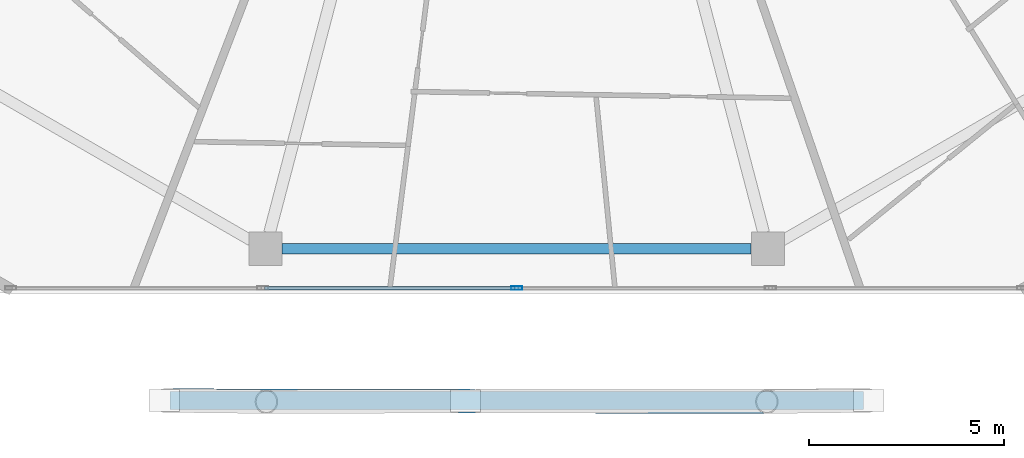
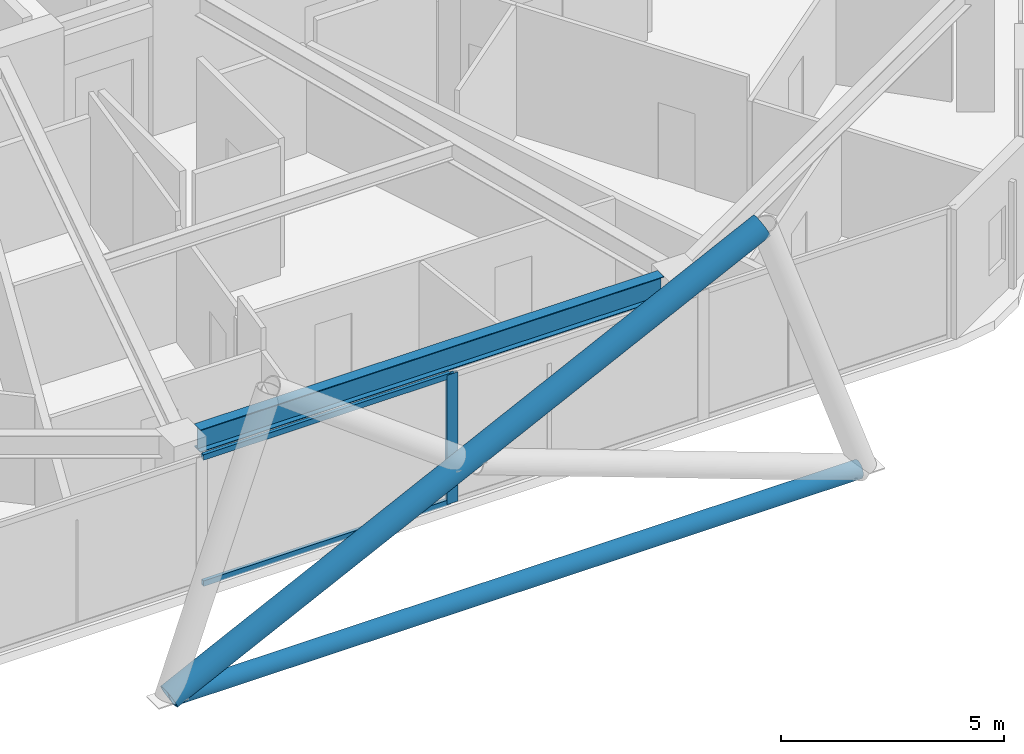
# One storey, part 4 of 29: 5 members, 1 beam, 1 element without a shape of its own.
"""IFC4 building model written with IfcOpenShell, lengths in metres."""

from ifc_helpers import new_model, si_unit, direction, frame, origin, origin_2d, place, context, subcontext, project, spatial, hollow_rectangle, hollow_circle, i_section, extrude, material, material_profile, profile_set, type_object, element, aggregate, save


model = new_model("IFC4")

# Units and contexts
model_context = context("Model", 3, precision=1e-05, world=origin(), true_north=direction((0.0, 1.0)))
body_context = subcontext(model_context, "Body", "Model", "MODEL_VIEW")
ifc_project = project(units=[si_unit("LENGTHUNIT", "METRE"), si_unit("AREAUNIT", "SQUARE_METRE"), si_unit("VOLUMEUNIT", "CUBIC_METRE"), si_unit("PLANEANGLEUNIT", "RADIAN"), si_unit("MASSUNIT", "GRAM", prefix="KILO")], contexts=[model_context])

# Site, building, storey
site_placement = place(None, origin())
site = spatial("IfcSite", under=ifc_project, at=site_placement, CompositionType="ELEMENT")
building_placement = place(site_placement, origin())
building = spatial("IfcBuilding", under=site, at=building_placement, Name="Zuhravey Tower", CompositionType="ELEMENT")
storey_placement = place(building_placement, frame((0.0, 0.0, 292.0)))
storey = spatial("IfcBuildingStorey", under=building, at=storey_placement, Name="L74", CompositionType="ELEMENT", Elevation=292.0)

# Curtain wall, members
ifc_material_1 = material(Name="Thermally broken anodised aluminium", Category="aluminium")
curtain_wall_type = type_object("IfcCurtainWallType", Name="Zone 3-4 High-Rise Curtain Wall CW4", PredefinedType="NOTDEFINED", material=ifc_material_1)
curtain_wall_placement = place(storey_placement, origin())
curtain_wall = element("IfcCurtainWall", 1, at=curtain_wall_placement, inside=storey, type_object=curtain_wall_type, Name="L74 CW4 CW-L74-F5-1", PredefinedType="NOTDEFINED")
ifc_material_2 = material(Name="Anodised aluminium", Category="aluminium")
ifc_material_profile_1 = material_profile(ifc_material_2, hollow_rectangle(XDim=0.090087890625, YDim=0.284912109375, WallThickness=0.0048828125, at=origin_2d()), Name="ALU-RHS-90x285x5")
ifc_profile_set_1 = profile_set([ifc_material_profile_1], Name="Anodised aluminium")
member_type_1 = type_object("IfcMemberType", Name="Curtain-Wall Mullion 90x180", PredefinedType="MULLION", material=ifc_profile_set_1)
member_1_placement = place(storey_placement, frame((36.0, 6.436279296875, 0.0), z_axis=(0.0, 0.0, 1.0), x_axis=(0.0, -1.0, 0.0)))
member_1 = element("IfcMember", 2, at=member_1_placement, type_object=member_type_1, Name="CW4 mullion 3", PredefinedType="MULLION", context=body_context, shape_type="SweptSolid", body=[
    extrude(hollow_rectangle(XDim=0.090087890625, YDim=0.284912109375, WallThickness=0.0048828125, at=origin_2d()), origin(), (0.0, 0.0, 1.0), 3.550048828125),
])
ifc_material_profile_2 = material_profile(ifc_material_2, hollow_rectangle(XDim=0.090087890625, YDim=0.14990234375, WallThickness=0.0048828125, at=origin_2d()), Name="ALU-RHS-90x150x5")
ifc_profile_set_2 = profile_set([ifc_material_profile_2], Name="Anodised aluminium")
member_type_2 = type_object("IfcMemberType", Name="Curtain-Wall Transom 90x150", PredefinedType="USERDEFINED", material=ifc_profile_set_2)
member_2_placement = place(storey_placement, frame((35.955078125, 6.436279296875, 0.044921875), z_axis=(-1.0, 0.0, 0.0), x_axis=(0.0, -1.0, 0.0)))
member_2 = element("IfcMember", 3, at=member_2_placement, type_object=member_type_2, Name="CW4 transom 3.1", ObjectType="TRANSOM", PredefinedType="USERDEFINED", context=body_context, shape_type="SweptSolid", body=[
    extrude(hollow_rectangle(XDim=0.090087890625, YDim=0.14990234375, WallThickness=0.0048828125, at=origin_2d()), origin(), (0.0, 0.0, 1.0), 6.41650390625),
])
member_3_placement = place(storey_placement, frame((35.955078125, 6.436279296875, 3.5048828125), z_axis=(-1.0, 0.0, 0.0), x_axis=(0.0, -1.0, 0.0)))
member_3 = element("IfcMember", 4, at=member_3_placement, type_object=member_type_2, Name="CW4 transom 3.2", ObjectType="TRANSOM", PredefinedType="USERDEFINED", context=body_context, shape_type="SweptSolid", body=[
    extrude(hollow_rectangle(XDim=0.090087890625, YDim=0.14990234375, WallThickness=0.0048828125, at=origin_2d()), origin(), (0.0, 0.0, 1.0), 6.41650390625),
])
aggregate(curtain_wall, [member_1, member_2, member_3])

# Members
ifc_material_3 = material(Name="Steel SM355", Category="steel")
ifc_material_profile_3 = material_profile(ifc_material_3, hollow_circle(Radius=0.228515625, WallThickness=0.02197265625, at=origin_2d()), Name="CHS-457.2x22")
ifc_profile_set_3 = profile_set([ifc_material_profile_3], Name="Steel SM355")
member_type_3 = type_object("IfcMemberType", Name="Exoskeleton Ring Tie CHS457x22", PredefinedType="CHORD", material=ifc_profile_set_3)
member_4_placement = place(storey_placement, frame((27.111083984375, 3.556396484375, -0.464111328125), z_axis=(1.0, 0.0, 0.0), x_axis=(0.0, 1.0, 0.0)))
element("IfcMember", 5, at=member_4_placement, inside=storey, type_object=member_type_3, Name="L74 Exoskeleton Face 5 Tie EXR1", PredefinedType="CHORD", context=body_context, shape_type="SweptSolid", body=[
    extrude(hollow_circle(Radius=0.228515625, WallThickness=0.02197265625, at=origin_2d()), origin(), (0.0, 0.0, 1.0), 17.77783203125),
])
ifc_material_profile_4 = material_profile(ifc_material_3, hollow_circle(Radius=0.3046875, WallThickness=0.028076171875, at=origin_2d()), Name="CHS-609.6x28")
ifc_profile_set_4 = profile_set([ifc_material_profile_4], Name="Steel SM355")
member_type_4 = type_object("IfcMemberType", Name="Exoskeleton Zone 3 Diagrid CHS610x28", PredefinedType="BRACE", material=ifc_profile_set_4)
member_5_placement = place(storey_placement, frame((27.007568359375, 3.556396484375, -0.446044921875), z_axis=(0.897160431159, -0.001753575188, 0.44170135356), x_axis=(0.001954580004, 0.999998089807, 0.0)))
element("IfcMember", 6, at=member_5_placement, inside=storey, type_object=member_type_4, Name="L74 Face 5 Diagrid Brace 2", PredefinedType="BRACE", context=body_context, shape_type="SweptSolid", body=[
    extrude(hollow_circle(Radius=0.3046875, WallThickness=0.028076171875, at=origin_2d()), origin(), (0.0, 0.0, 1.0), 17.12451171875),
])

# Beam
ifc_material_profile_5 = material_profile(ifc_material_3, i_section(OverallWidth=0.280029296875, OverallDepth=0.6201171875, WebThickness=0.011962890625, FlangeThickness=0.02001953125, at=origin_2d()), Name="H-620x280x12x20")
ifc_profile_set_5 = profile_set([ifc_material_profile_5], Name="Steel SM355")
beam_type = type_object("IfcBeamType", Name="Perimeter Ring Beam H620x280", PredefinedType="BEAM", material=ifc_profile_set_5)
beam_placement = place(storey_placement, frame((29.987060546875, 7.4462890625, 3.239990234375), z_axis=(1.0, 0.0, 0.0), x_axis=(0.0, 1.0, 0.0)))
element("IfcBeam", 7, at=beam_placement, inside=storey, type_object=beam_type, Name="L74 PB3 BM-L74-PB-09", PredefinedType="BEAM", context=body_context, shape_type="SweptSolid", body=[
    extrude(i_section(OverallWidth=0.280029296875, OverallDepth=0.6201171875, WebThickness=0.011962890625, FlangeThickness=0.02001953125, at=origin_2d()), origin(), (0.0, 0.0, 1.0), 12.02587890625),
])

save(model, "model.ifc")
